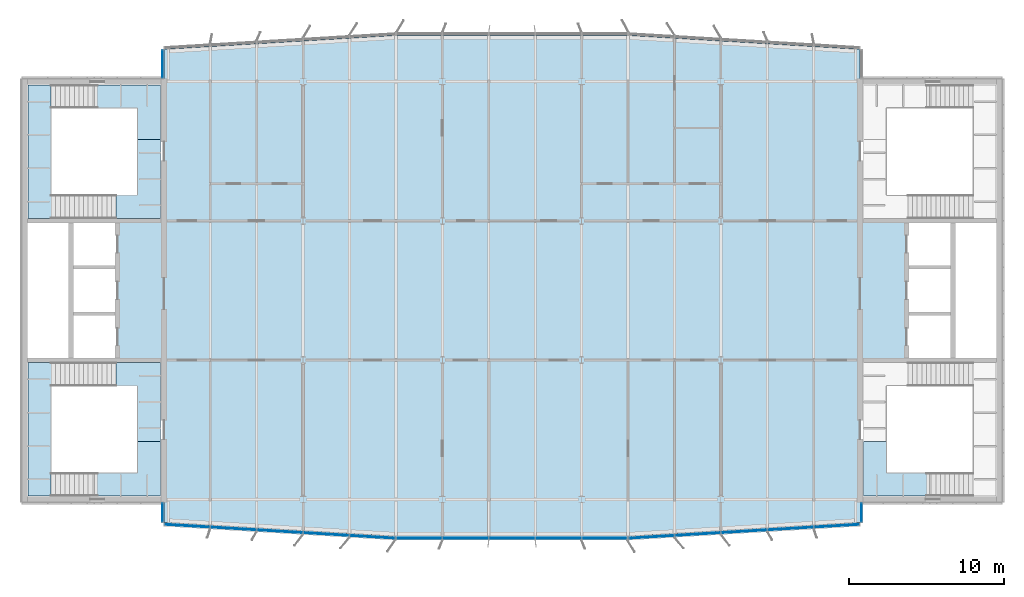
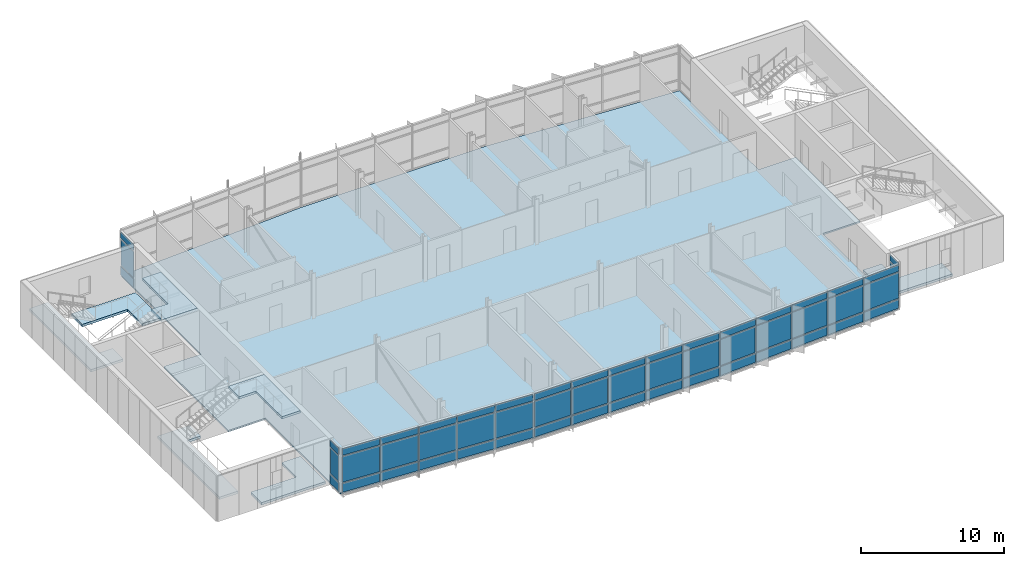
# One storey, part 10 of 18: 54 plates, 8 slabs, 9 elements without a shape of their own.
"""IFC4 building model written with IfcOpenShell, lengths in metres."""

from ifc_helpers import new_model, si_unit, direction, frame, origin, origin_2d, place, context, subcontext, project, spatial, polyline, rectangle, outline, extrude, material, layer, layer_set, type_object, element, aggregate, save


model = new_model("IFC4")

# Units and contexts
model_context = context("Model", 3, precision=1e-05, world=origin(), true_north=direction((0.0, 1.0)))
body_context = subcontext(model_context, "Body", "Model", "MODEL_VIEW")
ifc_project = project(units=[si_unit("LENGTHUNIT", "METRE"), si_unit("AREAUNIT", "SQUARE_METRE"), si_unit("VOLUMEUNIT", "CUBIC_METRE"), si_unit("PLANEANGLEUNIT", "RADIAN"), si_unit("MASSUNIT", "GRAM", prefix="KILO")], contexts=[model_context])

# Site, building, storey
site_placement = place(None, origin())
site = spatial("IfcSite", under=ifc_project, at=site_placement, CompositionType="ELEMENT")
building_placement = place(site_placement, origin())
building = spatial("IfcBuilding", under=site, at=building_placement, Name="Azimuth Sports and Learning Centre", CompositionType="ELEMENT")
storey_placement = place(building_placement, frame((0.0, 0.0, 63.60009765625)))
storey = spatial("IfcBuildingStorey", under=building, at=storey_placement, Name="L14", CompositionType="ELEMENT", Elevation=63.60009765625)

# Slab
ifc_material_1 = material(Name="Concrete C30/37", Category="concrete")
ifc_layer_1 = layer(ifc_material_1, 0.1298828125)
ifc_layer_set_1 = layer_set([ifc_layer_1], Name="Concrete C30/37")
slab_type_1 = type_object("IfcSlabType", Name="Composite floor slab 130", PredefinedType="FLOOR", material=ifc_layer_set_1)
slab_1_placement = place(storey_placement, frame((0.0, 0.0, -0.130126953125)))
element("IfcSlab", 1, at=slab_1_placement, inside=storey, type_object=slab_type_1, Name="Slab TOWER L14", PredefinedType="FLOOR", context=body_context, shape_type="SweptSolid", body=[
    extrude(outline(polyline([(78.0, 87.60009765625), (93.0, 87.60009765625), (108.0, 88.5), (108.0, 99.0), (111.0, 99.0), (111.0, 108.0), (108.0, 108.0), (108.0, 119.10009765625), (93.0, 120.0), (78.0, 120.0), (63.0, 119.10009765625), (63.0, 108.0), (60.0, 108.0), (60.0, 99.0), (63.0, 99.0), (63.0, 88.5), (78.0, 87.60009765625)])), origin(), (0.0, 0.0, 1.0), 0.130126953125),
])

# Stair, slabs
ifc_material_2 = material(Name="Concrete C32/40", Category="concrete")
stair_type = type_object("IfcStairType", Name="Square-well stair core 3900 storey", PredefinedType="THREE_QUARTER_TURN_STAIR", material=ifc_material_2)
stair_1_placement = place(storey_placement, origin())
stair_1 = element("IfcStair", 2, at=stair_1_placement, inside=storey, type_object=stair_type, Name="Stair W1 L14-L15", PredefinedType="THREE_QUARTER_TURN_STAIR")
ifc_material_3 = material(Name="Concrete C32/40", Category="concrete")
ifc_layer_2 = layer(ifc_material_3, 0.199951171875)
ifc_layer_set_2 = layer_set([ifc_layer_2], Name="Concrete C32/40")
slab_type_2 = type_object("IfcSlabType", Name="Concrete stair landing", PredefinedType="LANDING", material=ifc_layer_set_2)
slab_2_placement = place(storey_placement, frame((0.0, 0.0, -0.2001953125)))
slab_2 = element("IfcSlab", 3, at=slab_2_placement, type_object=slab_type_2, Name="Stair W1 L14 landing 1", PredefinedType="LANDING", context=body_context, shape_type="SweptSolid", body=[
    extrude(outline(polyline([(62.7900390625, 90.2099609375), (62.7900390625, 93.75), (61.2900390625, 93.75), (61.2900390625, 91.7099609375), (57.610107421875, 91.7099609375), (57.610107421875, 90.2099609375), (62.7900390625, 90.2099609375)])), origin(), (0.0, 0.0, 1.0), 0.2001953125),
])
slab_3_placement = place(storey_placement, frame((0.0, 0.0, 1.449951171875)))
slab_3 = element("IfcSlab", 4, at=slab_3_placement, type_object=slab_type_2, Name="Stair W1 L14 landing 2", PredefinedType="LANDING", context=body_context, shape_type="SweptSolid", body=[
    extrude(outline(polyline([(55.7099609375, 91.7099609375), (55.7099609375, 97.340087890625), (56.81005859375, 97.340087890625), (56.81005859375, 98.840087890625), (54.2099609375, 98.840087890625), (54.2099609375, 90.2099609375), (55.710693359375, 90.2099609375), (55.710693359375, 91.7099609375), (55.7099609375, 91.7099609375)])), origin(), (0.0, 0.0, 1.0), 0.199951171875),
])
slab_4_placement = place(storey_placement, frame((0.0, 0.0, 3.699951171875)))
slab_4 = element("IfcSlab", 5, at=slab_4_placement, type_object=slab_type_2, Name="Stair W1 L14 landing 3", PredefinedType="LANDING", context=body_context, shape_type="SweptSolid", body=[
    extrude(outline(polyline([(61.2900390625, 97.340087890625), (61.2900390625, 93.75), (62.7900390625, 93.75), (62.7900390625, 98.840087890625), (59.9091796875, 98.840087890625), (59.9091796875, 97.340087890625), (61.2900390625, 97.340087890625)])), origin(), (0.0, 0.0, 1.0), 0.199951171875),
])
aggregate(stair_1, [slab_2, slab_3, slab_4])

stair_2_placement = place(storey_placement, origin())
stair_2 = element("IfcStair", 6, at=stair_2_placement, inside=storey, type_object=stair_type, Name="Stair W2 L14-L15", PredefinedType="THREE_QUARTER_TURN_STAIR")
slab_5_placement = place(storey_placement, frame((0.0, 0.0, -0.2001953125)))
slab_5 = element("IfcSlab", 7, at=slab_5_placement, type_object=slab_type_2, Name="Stair W2 L14 landing 1", PredefinedType="LANDING", context=body_context, shape_type="SweptSolid", body=[
    extrude(outline(polyline([(57.610107421875, 115.2900390625), (61.2900390625, 115.2900390625), (61.2900390625, 113.25), (62.7900390625, 113.25), (62.7900390625, 116.7900390625), (57.610107421875, 116.7900390625), (57.610107421875, 115.2900390625)])), origin(), (0.0, 0.0, 1.0), 0.2001953125),
])
slab_6_placement = place(storey_placement, frame((0.0, 0.0, 1.449951171875)))
slab_6 = element("IfcSlab", 8, at=slab_6_placement, type_object=slab_type_2, Name="Stair W2 L14 landing 2", PredefinedType="LANDING", context=body_context, shape_type="SweptSolid", body=[
    extrude(outline(polyline([(55.7099609375, 115.2900390625), (55.710693359375, 115.2900390625), (55.710693359375, 116.7900390625), (54.2099609375, 116.7900390625), (54.2099609375, 108.159912109375), (56.81005859375, 108.159912109375), (56.81005859375, 109.659912109375), (55.7099609375, 109.659912109375), (55.7099609375, 115.2900390625)])), origin(), (0.0, 0.0, 1.0), 0.199951171875),
])
slab_7_placement = place(storey_placement, frame((0.0, 0.0, 3.699951171875)))
slab_7 = element("IfcSlab", 9, at=slab_7_placement, type_object=slab_type_2, Name="Stair W2 L14 landing 3", PredefinedType="LANDING", context=body_context, shape_type="SweptSolid", body=[
    extrude(outline(polyline([(61.2900390625, 109.659912109375), (59.9091796875, 109.659912109375), (59.9091796875, 108.159912109375), (62.7900390625, 108.159912109375), (62.7900390625, 113.25), (61.2900390625, 113.25), (61.2900390625, 109.659912109375)])), origin(), (0.0, 0.0, 1.0), 0.199951171875),
])
aggregate(stair_2, [slab_5, slab_6, slab_7])

# Stair, slab
stair_3_placement = place(storey_placement, origin())
stair_3 = element("IfcStair", 10, at=stair_3_placement, inside=storey, type_object=stair_type, Name="Stair E1 L14-L15", PredefinedType="THREE_QUARTER_TURN_STAIR")
slab_8_placement = place(storey_placement, frame((0.0, 0.0, -0.2001953125)))
slab_8 = element("IfcSlab", 11, at=slab_8_placement, type_object=slab_type_2, Name="Stair E1 L14 landing 1", PredefinedType="LANDING", context=body_context, shape_type="SweptSolid", body=[
    extrude(outline(polyline([(113.389892578125, 91.7099609375), (109.7099609375, 91.7099609375), (109.7099609375, 93.75), (108.2099609375, 93.75), (108.2099609375, 90.2099609375), (113.389892578125, 90.2099609375), (113.389892578125, 91.7099609375)])), origin(), (0.0, 0.0, 1.0), 0.2001953125),
])
aggregate(stair_3, [slab_8])

# Curtain wall, plates
ifc_material_4 = material(Name="Aluminium and glass", Category="aluminium")
curtain_wall_type_1 = type_object("IfcCurtainWallType", Name="Curtain wall tower return 180", PredefinedType="NOTDEFINED", material=ifc_material_4)
curtain_wall_1_placement = place(storey_placement, origin())
curtain_wall_1 = element("IfcCurtainWall", 12, at=curtain_wall_1_placement, inside=storey, type_object=curtain_wall_type_1, Name="Curtain wall CW14-001", PredefinedType="NOTDEFINED")
ifc_material_5 = material(Name="Insulated aluminium panel", Category="aluminium")
ifc_layer_3 = layer(ifc_material_5, 0.050048828125)
ifc_layer_set_3 = layer_set([ifc_layer_3], Name="Insulated aluminium panel")
plate_type_1 = type_object("IfcPlateType", Name="Spandrel panel 50 mm", PredefinedType="CURTAIN_PANEL", material=ifc_layer_set_3)
plate_1_placement = place(storey_placement, frame((62.909912109375, 89.14990234375, 0.099853515625), z_axis=(0.0, 0.0, 1.0), x_axis=(0.0, -1.0, 0.0)))
plate_1 = element("IfcPlate", 13, at=plate_1_placement, type_object=plate_type_1, Name="CW14-001 panel 1.1", PredefinedType="CURTAIN_PANEL", context=body_context, shape_type="SweptSolid", body=[
    extrude(rectangle(XDim=1.179931640625, YDim=0.050048828125, at=origin_2d()), origin(), (0.0, 0.0, 1.0), 0.75),
])
plate_2_placement = place(storey_placement, frame((62.909912109375, 89.14990234375, 3.25), z_axis=(0.0, 0.0, 1.0), x_axis=(0.0, -1.0, 0.0)))
plate_2 = element("IfcPlate", 14, at=plate_2_placement, type_object=plate_type_1, Name="CW14-001 panel 1.3", PredefinedType="CURTAIN_PANEL", context=body_context, shape_type="SweptSolid", body=[
    extrude(rectangle(XDim=1.179931640625, YDim=0.050048828125, at=origin_2d()), origin(), (0.0, 0.0, 1.0), 0.550048828125),
])

ifc_material_6 = material(Name="Aluminium and glass", Category="aluminium")
curtain_wall_type_2 = type_object("IfcCurtainWallType", Name="Curtain wall tower south 240", PredefinedType="NOTDEFINED", material=ifc_material_6)
curtain_wall_2_placement = place(storey_placement, origin())
curtain_wall_2 = element("IfcCurtainWall", 15, at=curtain_wall_2_placement, inside=storey, type_object=curtain_wall_type_2, Name="Curtain wall CW14-002", PredefinedType="NOTDEFINED")
plate_3_placement = place(storey_placement, frame((64.51025390625, 88.2890625, 0.099853515625), z_axis=(0.0, 0.0, 1.0), x_axis=(0.998204863401, -0.059891991812, 0.0)))
plate_3 = element("IfcPlate", 16, at=plate_3_placement, type_object=plate_type_1, Name="CW14-002 panel 1.1", PredefinedType="CURTAIN_PANEL", context=body_context, shape_type="SweptSolid", body=[
    extrude(rectangle(XDim=2.900390625, YDim=0.050048828125, at=origin_2d()), origin(), (0.0, 0.0, 1.0), 0.75),
])
plate_4_placement = place(storey_placement, frame((64.51025390625, 88.2890625, 3.25), z_axis=(0.0, 0.0, 1.0), x_axis=(0.998204863401, -0.059891991812, 0.0)))
plate_4 = element("IfcPlate", 17, at=plate_4_placement, type_object=plate_type_1, Name="CW14-002 panel 1.3", PredefinedType="CURTAIN_PANEL", context=body_context, shape_type="SweptSolid", body=[
    extrude(rectangle(XDim=2.900390625, YDim=0.050048828125, at=origin_2d()), origin(), (0.0, 0.0, 1.0), 0.550048828125),
])
plate_5_placement = place(storey_placement, frame((67.492919921875, 88.110107421875, 0.099853515625), z_axis=(0.0, 0.0, 1.0), x_axis=(0.998204863401, -0.059891991812, 0.0)))
plate_5 = element("IfcPlate", 18, at=plate_5_placement, type_object=plate_type_1, Name="CW14-002 panel 2.1", PredefinedType="CURTAIN_PANEL", context=body_context, shape_type="SweptSolid", body=[
    extrude(rectangle(XDim=2.935302734375, YDim=0.050048828125, at=origin_2d()), origin(), (0.0, 0.0, 1.0), 0.75),
])
plate_6_placement = place(storey_placement, frame((67.492919921875, 88.110107421875, 3.25), z_axis=(0.0, 0.0, 1.0), x_axis=(0.998204863401, -0.059891991812, 0.0)))
plate_6 = element("IfcPlate", 19, at=plate_6_placement, type_object=plate_type_1, Name="CW14-002 panel 2.3", PredefinedType="CURTAIN_PANEL", context=body_context, shape_type="SweptSolid", body=[
    extrude(rectangle(XDim=2.935302734375, YDim=0.050048828125, at=origin_2d()), origin(), (0.0, 0.0, 1.0), 0.550048828125),
])
plate_7_placement = place(storey_placement, frame((70.492919921875, 87.93017578125, 0.099853515625), z_axis=(0.0, 0.0, 1.0), x_axis=(0.998204863401, -0.059891991812, 0.0)))
plate_7 = element("IfcPlate", 20, at=plate_7_placement, type_object=plate_type_1, Name="CW14-002 panel 3.1", PredefinedType="CURTAIN_PANEL", context=body_context, shape_type="SweptSolid", body=[
    extrude(rectangle(XDim=2.935302734375, YDim=0.050048828125, at=origin_2d()), origin(), (0.0, 0.0, 1.0), 0.75),
])
plate_8_placement = place(storey_placement, frame((70.492919921875, 87.93017578125, 3.25), z_axis=(0.0, 0.0, 1.0), x_axis=(0.998204863401, -0.059891991812, 0.0)))
plate_8 = element("IfcPlate", 21, at=plate_8_placement, type_object=plate_type_1, Name="CW14-002 panel 3.3", PredefinedType="CURTAIN_PANEL", context=body_context, shape_type="SweptSolid", body=[
    extrude(rectangle(XDim=2.935302734375, YDim=0.050048828125, at=origin_2d()), origin(), (0.0, 0.0, 1.0), 0.550048828125),
])
plate_9_placement = place(storey_placement, frame((73.492919921875, 87.750244140625, 0.099853515625), z_axis=(0.0, 0.0, 1.0), x_axis=(0.998204863401, -0.059891991812, 0.0)))
plate_9 = element("IfcPlate", 22, at=plate_9_placement, type_object=plate_type_1, Name="CW14-002 panel 4.1", PredefinedType="CURTAIN_PANEL", context=body_context, shape_type="SweptSolid", body=[
    extrude(rectangle(XDim=2.935302734375, YDim=0.050048828125, at=origin_2d()), origin(), (0.0, 0.0, 1.0), 0.75),
])
plate_10_placement = place(storey_placement, frame((73.492919921875, 87.750244140625, 3.25), z_axis=(0.0, 0.0, 1.0), x_axis=(0.998204863401, -0.059891991812, 0.0)))
plate_10 = element("IfcPlate", 23, at=plate_10_placement, type_object=plate_type_1, Name="CW14-002 panel 4.3", PredefinedType="CURTAIN_PANEL", context=body_context, shape_type="SweptSolid", body=[
    extrude(rectangle(XDim=2.935302734375, YDim=0.050048828125, at=origin_2d()), origin(), (0.0, 0.0, 1.0), 0.550048828125),
])
plate_11_placement = place(storey_placement, frame((76.475341796875, 87.5712890625, 0.099853515625), z_axis=(0.0, 0.0, 1.0), x_axis=(0.998204863401, -0.059891991812, 0.0)))
plate_11 = element("IfcPlate", 24, at=plate_11_placement, type_object=plate_type_1, Name="CW14-002 panel 5.1", PredefinedType="CURTAIN_PANEL", context=body_context, shape_type="SweptSolid", body=[
    extrude(rectangle(XDim=2.900390625, YDim=0.050048828125, at=origin_2d()), origin(), (0.0, 0.0, 1.0), 0.75),
])
plate_12_placement = place(storey_placement, frame((76.475341796875, 87.5712890625, 3.25), z_axis=(0.0, 0.0, 1.0), x_axis=(0.998204863401, -0.059891991812, 0.0)))
plate_12 = element("IfcPlate", 25, at=plate_12_placement, type_object=plate_type_1, Name="CW14-002 panel 5.3", PredefinedType="CURTAIN_PANEL", context=body_context, shape_type="SweptSolid", body=[
    extrude(rectangle(XDim=2.900390625, YDim=0.050048828125, at=origin_2d()), origin(), (0.0, 0.0, 1.0), 0.550048828125),
])

curtain_wall_3_placement = place(storey_placement, origin())
curtain_wall_3 = element("IfcCurtainWall", 26, at=curtain_wall_3_placement, inside=storey, type_object=curtain_wall_type_2, Name="Curtain wall CW14-003", PredefinedType="NOTDEFINED")
plate_13_placement = place(storey_placement, frame((79.513916015625, 87.47998046875, 0.099853515625), z_axis=(0.0, 0.0, 1.0), x_axis=(1.0, 0.0, 0.0)))
plate_13 = element("IfcPlate", 27, at=plate_13_placement, type_object=plate_type_1, Name="CW14-003 panel 1.1", PredefinedType="CURTAIN_PANEL", context=body_context, shape_type="SweptSolid", body=[
    extrude(rectangle(XDim=2.902099609375, YDim=0.050048828125, at=origin_2d()), origin(), (0.0, 0.0, 1.0), 0.75),
])
plate_14_placement = place(storey_placement, frame((79.513916015625, 87.47998046875, 3.25), z_axis=(0.0, 0.0, 1.0), x_axis=(1.0, 0.0, 0.0)))
plate_14 = element("IfcPlate", 28, at=plate_14_placement, type_object=plate_type_1, Name="CW14-003 panel 1.3", PredefinedType="CURTAIN_PANEL", context=body_context, shape_type="SweptSolid", body=[
    extrude(rectangle(XDim=2.902099609375, YDim=0.050048828125, at=origin_2d()), origin(), (0.0, 0.0, 1.0), 0.550048828125),
])
plate_15_placement = place(storey_placement, frame((82.5, 87.47998046875, 0.099853515625), z_axis=(0.0, 0.0, 1.0), x_axis=(1.0, 0.0, 0.0)))
plate_15 = element("IfcPlate", 29, at=plate_15_placement, type_object=plate_type_1, Name="CW14-003 panel 2.1", PredefinedType="CURTAIN_PANEL", context=body_context, shape_type="SweptSolid", body=[
    extrude(rectangle(XDim=2.929931640625, YDim=0.050048828125, at=origin_2d()), origin(), (0.0, 0.0, 1.0), 0.75),
])
plate_16_placement = place(storey_placement, frame((82.5, 87.47998046875, 3.25), z_axis=(0.0, 0.0, 1.0), x_axis=(1.0, 0.0, 0.0)))
plate_16 = element("IfcPlate", 30, at=plate_16_placement, type_object=plate_type_1, Name="CW14-003 panel 2.3", PredefinedType="CURTAIN_PANEL", context=body_context, shape_type="SweptSolid", body=[
    extrude(rectangle(XDim=2.929931640625, YDim=0.050048828125, at=origin_2d()), origin(), (0.0, 0.0, 1.0), 0.550048828125),
])
plate_17_placement = place(storey_placement, frame((85.5, 87.47998046875, 0.099853515625), z_axis=(0.0, 0.0, 1.0), x_axis=(1.0, 0.0, 0.0)))
plate_17 = element("IfcPlate", 31, at=plate_17_placement, type_object=plate_type_1, Name="CW14-003 panel 3.1", PredefinedType="CURTAIN_PANEL", context=body_context, shape_type="SweptSolid", body=[
    extrude(rectangle(XDim=2.929931640625, YDim=0.050048828125, at=origin_2d()), origin(), (0.0, 0.0, 1.0), 0.75),
])
plate_18_placement = place(storey_placement, frame((85.5, 87.47998046875, 3.25), z_axis=(0.0, 0.0, 1.0), x_axis=(1.0, 0.0, 0.0)))
plate_18 = element("IfcPlate", 32, at=plate_18_placement, type_object=plate_type_1, Name="CW14-003 panel 3.3", PredefinedType="CURTAIN_PANEL", context=body_context, shape_type="SweptSolid", body=[
    extrude(rectangle(XDim=2.929931640625, YDim=0.050048828125, at=origin_2d()), origin(), (0.0, 0.0, 1.0), 0.550048828125),
])
plate_19_placement = place(storey_placement, frame((88.5, 87.47998046875, 0.099853515625), z_axis=(0.0, 0.0, 1.0), x_axis=(1.0, 0.0, 0.0)))
plate_19 = element("IfcPlate", 33, at=plate_19_placement, type_object=plate_type_1, Name="CW14-003 panel 4.1", PredefinedType="CURTAIN_PANEL", context=body_context, shape_type="SweptSolid", body=[
    extrude(rectangle(XDim=2.929931640625, YDim=0.050048828125, at=origin_2d()), origin(), (0.0, 0.0, 1.0), 0.75),
])
plate_20_placement = place(storey_placement, frame((88.5, 87.47998046875, 3.25), z_axis=(0.0, 0.0, 1.0), x_axis=(1.0, 0.0, 0.0)))
plate_20 = element("IfcPlate", 34, at=plate_20_placement, type_object=plate_type_1, Name="CW14-003 panel 4.3", PredefinedType="CURTAIN_PANEL", context=body_context, shape_type="SweptSolid", body=[
    extrude(rectangle(XDim=2.929931640625, YDim=0.050048828125, at=origin_2d()), origin(), (0.0, 0.0, 1.0), 0.550048828125),
])
plate_21_placement = place(storey_placement, frame((91.482421875, 87.47998046875, 0.099853515625), z_axis=(0.0, 0.0, 1.0), x_axis=(1.0, 0.0, 0.0)))
plate_21 = element("IfcPlate", 35, at=plate_21_placement, type_object=plate_type_1, Name="CW14-003 panel 5.1", PredefinedType="CURTAIN_PANEL", context=body_context, shape_type="SweptSolid", body=[
    extrude(rectangle(XDim=2.89501953125, YDim=0.050048828125, at=origin_2d()), origin(), (0.0, 0.0, 1.0), 0.75),
])
plate_22_placement = place(storey_placement, frame((91.482421875, 87.47998046875, 3.25), z_axis=(0.0, 0.0, 1.0), x_axis=(1.0, 0.0, 0.0)))
plate_22 = element("IfcPlate", 36, at=plate_22_placement, type_object=plate_type_1, Name="CW14-003 panel 5.3", PredefinedType="CURTAIN_PANEL", context=body_context, shape_type="SweptSolid", body=[
    extrude(rectangle(XDim=2.89501953125, YDim=0.050048828125, at=origin_2d()), origin(), (0.0, 0.0, 1.0), 0.550048828125),
])

curtain_wall_4_placement = place(storey_placement, origin())
curtain_wall_4 = element("IfcCurtainWall", 37, at=curtain_wall_4_placement, inside=storey, type_object=curtain_wall_type_2, Name="Curtain wall CW14-004", PredefinedType="NOTDEFINED")
plate_23_placement = place(storey_placement, frame((94.52099609375, 87.571044921875, 0.099853515625), z_axis=(0.0, 0.0, 1.0), x_axis=(0.998204863401, 0.059891991812, 0.0)))
plate_23 = element("IfcPlate", 38, at=plate_23_placement, type_object=plate_type_1, Name="CW14-004 panel 1.1", PredefinedType="CURTAIN_PANEL", context=body_context, shape_type="SweptSolid", body=[
    extrude(rectangle(XDim=2.90771484375, YDim=0.050048828125, at=origin_2d()), origin(), (0.0, 0.0, 1.0), 0.75),
])
plate_24_placement = place(storey_placement, frame((94.52099609375, 87.571044921875, 3.25), z_axis=(0.0, 0.0, 1.0), x_axis=(0.998204863401, 0.059891991812, 0.0)))
plate_24 = element("IfcPlate", 39, at=plate_24_placement, type_object=plate_type_1, Name="CW14-004 panel 1.3", PredefinedType="CURTAIN_PANEL", context=body_context, shape_type="SweptSolid", body=[
    extrude(rectangle(XDim=2.90771484375, YDim=0.050048828125, at=origin_2d()), origin(), (0.0, 0.0, 1.0), 0.550048828125),
])
plate_25_placement = place(storey_placement, frame((97.507080078125, 87.750244140625, 0.099853515625), z_axis=(0.0, 0.0, 1.0), x_axis=(0.998204863401, 0.059891991812, 0.0)))
plate_25 = element("IfcPlate", 40, at=plate_25_placement, type_object=plate_type_1, Name="CW14-004 panel 2.1", PredefinedType="CURTAIN_PANEL", context=body_context, shape_type="SweptSolid", body=[
    extrude(rectangle(XDim=2.935302734375, YDim=0.050048828125, at=origin_2d()), origin(), (0.0, 0.0, 1.0), 0.75),
])
plate_26_placement = place(storey_placement, frame((97.507080078125, 87.750244140625, 3.25), z_axis=(0.0, 0.0, 1.0), x_axis=(0.998204863401, 0.059891991812, 0.0)))
plate_26 = element("IfcPlate", 41, at=plate_26_placement, type_object=plate_type_1, Name="CW14-004 panel 2.3", PredefinedType="CURTAIN_PANEL", context=body_context, shape_type="SweptSolid", body=[
    extrude(rectangle(XDim=2.935302734375, YDim=0.050048828125, at=origin_2d()), origin(), (0.0, 0.0, 1.0), 0.550048828125),
])
plate_27_placement = place(storey_placement, frame((100.507080078125, 87.93017578125, 0.099853515625), z_axis=(0.0, 0.0, 1.0), x_axis=(0.998204863401, 0.059891991812, 0.0)))
plate_27 = element("IfcPlate", 42, at=plate_27_placement, type_object=plate_type_1, Name="CW14-004 panel 3.1", PredefinedType="CURTAIN_PANEL", context=body_context, shape_type="SweptSolid", body=[
    extrude(rectangle(XDim=2.935302734375, YDim=0.050048828125, at=origin_2d()), origin(), (0.0, 0.0, 1.0), 0.75),
])
plate_28_placement = place(storey_placement, frame((100.507080078125, 87.93017578125, 3.25), z_axis=(0.0, 0.0, 1.0), x_axis=(0.998204863401, 0.059891991812, 0.0)))
plate_28 = element("IfcPlate", 43, at=plate_28_placement, type_object=plate_type_1, Name="CW14-004 panel 3.3", PredefinedType="CURTAIN_PANEL", context=body_context, shape_type="SweptSolid", body=[
    extrude(rectangle(XDim=2.935302734375, YDim=0.050048828125, at=origin_2d()), origin(), (0.0, 0.0, 1.0), 0.550048828125),
])
plate_29_placement = place(storey_placement, frame((103.507080078125, 88.110107421875, 0.099853515625), z_axis=(0.0, 0.0, 1.0), x_axis=(0.998204863401, 0.059891991812, 0.0)))
plate_29 = element("IfcPlate", 44, at=plate_29_placement, type_object=plate_type_1, Name="CW14-004 panel 4.1", PredefinedType="CURTAIN_PANEL", context=body_context, shape_type="SweptSolid", body=[
    extrude(rectangle(XDim=2.935302734375, YDim=0.050048828125, at=origin_2d()), origin(), (0.0, 0.0, 1.0), 0.75),
])
plate_30_placement = place(storey_placement, frame((103.507080078125, 88.110107421875, 3.25), z_axis=(0.0, 0.0, 1.0), x_axis=(0.998204863401, 0.059891991812, 0.0)))
plate_30 = element("IfcPlate", 45, at=plate_30_placement, type_object=plate_type_1, Name="CW14-004 panel 4.3", PredefinedType="CURTAIN_PANEL", context=body_context, shape_type="SweptSolid", body=[
    extrude(rectangle(XDim=2.935302734375, YDim=0.050048828125, at=origin_2d()), origin(), (0.0, 0.0, 1.0), 0.550048828125),
])
plate_31_placement = place(storey_placement, frame((106.48974609375, 88.2890625, 0.099853515625), z_axis=(0.0, 0.0, 1.0), x_axis=(0.998204863401, 0.059891991812, 0.0)))
plate_31 = element("IfcPlate", 46, at=plate_31_placement, type_object=plate_type_1, Name="CW14-004 panel 5.1", PredefinedType="CURTAIN_PANEL", context=body_context, shape_type="SweptSolid", body=[
    extrude(rectangle(XDim=2.900390625, YDim=0.050048828125, at=origin_2d()), origin(), (0.0, 0.0, 1.0), 0.75),
])
plate_32_placement = place(storey_placement, frame((106.48974609375, 88.2890625, 3.25), z_axis=(0.0, 0.0, 1.0), x_axis=(0.998204863401, 0.059891991812, 0.0)))
plate_32 = element("IfcPlate", 47, at=plate_32_placement, type_object=plate_type_1, Name="CW14-004 panel 5.3", PredefinedType="CURTAIN_PANEL", context=body_context, shape_type="SweptSolid", body=[
    extrude(rectangle(XDim=2.900390625, YDim=0.050048828125, at=origin_2d()), origin(), (0.0, 0.0, 1.0), 0.550048828125),
])

curtain_wall_5_placement = place(storey_placement, origin())
curtain_wall_5 = element("IfcCurtainWall", 48, at=curtain_wall_5_placement, inside=storey, type_object=curtain_wall_type_1, Name="Curtain wall CW14-005", PredefinedType="NOTDEFINED")
plate_33_placement = place(storey_placement, frame((108.090087890625, 89.14990234375, 0.099853515625), z_axis=(0.0, 0.0, 1.0), x_axis=(0.0, 1.0, 0.0)))
plate_33 = element("IfcPlate", 49, at=plate_33_placement, type_object=plate_type_1, Name="CW14-005 panel 1.1", PredefinedType="CURTAIN_PANEL", context=body_context, shape_type="SweptSolid", body=[
    extrude(rectangle(XDim=1.179931640625, YDim=0.050048828125, at=origin_2d()), origin(), (0.0, 0.0, 1.0), 0.75),
])
plate_34_placement = place(storey_placement, frame((108.090087890625, 89.14990234375, 3.25), z_axis=(0.0, 0.0, 1.0), x_axis=(0.0, 1.0, 0.0)))
plate_34 = element("IfcPlate", 50, at=plate_34_placement, type_object=plate_type_1, Name="CW14-005 panel 1.3", PredefinedType="CURTAIN_PANEL", context=body_context, shape_type="SweptSolid", body=[
    extrude(rectangle(XDim=1.179931640625, YDim=0.050048828125, at=origin_2d()), origin(), (0.0, 0.0, 1.0), 0.550048828125),
])

curtain_wall_6_placement = place(storey_placement, origin())
curtain_wall_6 = element("IfcCurtainWall", 51, at=curtain_wall_6_placement, inside=storey, type_object=curtain_wall_type_1, Name="Curtain wall CW14-010", PredefinedType="NOTDEFINED")
plate_35_placement = place(storey_placement, frame((62.909912109375, 118.14990234375, 0.099853515625), z_axis=(0.0, 0.0, 1.0), x_axis=(0.0, -1.0, 0.0)))
plate_35 = element("IfcPlate", 52, at=plate_35_placement, type_object=plate_type_1, Name="CW14-010 panel 1.1", PredefinedType="CURTAIN_PANEL", context=body_context, shape_type="SweptSolid", body=[
    extrude(rectangle(XDim=1.780029296875, YDim=0.050048828125, at=origin_2d()), origin(), (0.0, 0.0, 1.0), 0.75),
])
plate_36_placement = place(storey_placement, frame((62.909912109375, 118.14990234375, 3.25), z_axis=(0.0, 0.0, 1.0), x_axis=(0.0, -1.0, 0.0)))
plate_36 = element("IfcPlate", 53, at=plate_36_placement, type_object=plate_type_1, Name="CW14-010 panel 1.3", PredefinedType="CURTAIN_PANEL", context=body_context, shape_type="SweptSolid", body=[
    extrude(rectangle(XDim=1.780029296875, YDim=0.050048828125, at=origin_2d()), origin(), (0.0, 0.0, 1.0), 0.550048828125),
])

# Plate
ifc_material_7 = material(Name="Glass", Category="glass")
ifc_layer_4 = layer(ifc_material_7, 0.031982421875)
ifc_layer_set_4 = layer_set([ifc_layer_4], Name="Glass")
plate_type_2 = type_object("IfcPlateType", Name="Vision glass 32 mm", PredefinedType="CURTAIN_PANEL", material=ifc_layer_set_4)
plate_37_placement = place(storey_placement, frame((62.909912109375, 89.14990234375, 0.94970703125), z_axis=(0.0, 0.0, 1.0), x_axis=(0.0, -1.0, 0.0)))
plate_37 = element("IfcPlate", 54, at=plate_37_placement, type_object=plate_type_2, Name="CW14-001 panel 1.2", PredefinedType="CURTAIN_PANEL", context=body_context, shape_type="SweptSolid", body=[
    extrude(rectangle(XDim=1.179931640625, YDim=0.031982421875, at=origin_2d()), origin(), (0.0, 0.0, 1.0), 2.199951171875),
])

aggregate(curtain_wall_1, [plate_1, plate_37, plate_2])

plate_38_placement = place(storey_placement, frame((64.51025390625, 88.2890625, 0.94970703125), z_axis=(0.0, 0.0, 1.0), x_axis=(0.998204863401, -0.059891991812, 0.0)))
plate_38 = element("IfcPlate", 55, at=plate_38_placement, type_object=plate_type_2, Name="CW14-002 panel 1.2", PredefinedType="CURTAIN_PANEL", context=body_context, shape_type="SweptSolid", body=[
    extrude(rectangle(XDim=2.900390625, YDim=0.031982421875, at=origin_2d()), origin(), (0.0, 0.0, 1.0), 2.199951171875),
])

plate_39_placement = place(storey_placement, frame((67.492919921875, 88.110107421875, 0.94970703125), z_axis=(0.0, 0.0, 1.0), x_axis=(0.998204863401, -0.059891991812, 0.0)))
plate_39 = element("IfcPlate", 56, at=plate_39_placement, type_object=plate_type_2, Name="CW14-002 panel 2.2", PredefinedType="CURTAIN_PANEL", context=body_context, shape_type="SweptSolid", body=[
    extrude(rectangle(XDim=2.935302734375, YDim=0.031982421875, at=origin_2d()), origin(), (0.0, 0.0, 1.0), 2.199951171875),
])

plate_40_placement = place(storey_placement, frame((70.492919921875, 87.93017578125, 0.94970703125), z_axis=(0.0, 0.0, 1.0), x_axis=(0.998204863401, -0.059891991812, 0.0)))
plate_40 = element("IfcPlate", 57, at=plate_40_placement, type_object=plate_type_2, Name="CW14-002 panel 3.2", PredefinedType="CURTAIN_PANEL", context=body_context, shape_type="SweptSolid", body=[
    extrude(rectangle(XDim=2.935302734375, YDim=0.031982421875, at=origin_2d()), origin(), (0.0, 0.0, 1.0), 2.199951171875),
])

plate_41_placement = place(storey_placement, frame((73.492919921875, 87.750244140625, 0.94970703125), z_axis=(0.0, 0.0, 1.0), x_axis=(0.998204863401, -0.059891991812, 0.0)))
plate_41 = element("IfcPlate", 58, at=plate_41_placement, type_object=plate_type_2, Name="CW14-002 panel 4.2", PredefinedType="CURTAIN_PANEL", context=body_context, shape_type="SweptSolid", body=[
    extrude(rectangle(XDim=2.935302734375, YDim=0.031982421875, at=origin_2d()), origin(), (0.0, 0.0, 1.0), 2.199951171875),
])

plate_42_placement = place(storey_placement, frame((76.475341796875, 87.5712890625, 0.94970703125), z_axis=(0.0, 0.0, 1.0), x_axis=(0.998204863401, -0.059891991812, 0.0)))
plate_42 = element("IfcPlate", 59, at=plate_42_placement, type_object=plate_type_2, Name="CW14-002 panel 5.2", PredefinedType="CURTAIN_PANEL", context=body_context, shape_type="SweptSolid", body=[
    extrude(rectangle(XDim=2.900390625, YDim=0.031982421875, at=origin_2d()), origin(), (0.0, 0.0, 1.0), 2.199951171875),
])

aggregate(curtain_wall_2, [plate_3, plate_38, plate_4, plate_5, plate_39, plate_6, plate_7, plate_40, plate_8, plate_9, plate_41, plate_10, plate_11, plate_42, plate_12])

plate_43_placement = place(storey_placement, frame((79.513916015625, 87.47998046875, 0.94970703125), z_axis=(0.0, 0.0, 1.0), x_axis=(1.0, 0.0, 0.0)))
plate_43 = element("IfcPlate", 60, at=plate_43_placement, type_object=plate_type_2, Name="CW14-003 panel 1.2", PredefinedType="CURTAIN_PANEL", context=body_context, shape_type="SweptSolid", body=[
    extrude(rectangle(XDim=2.902099609375, YDim=0.031982421875, at=origin_2d()), origin(), (0.0, 0.0, 1.0), 2.199951171875),
])

plate_44_placement = place(storey_placement, frame((82.5, 87.47998046875, 0.94970703125), z_axis=(0.0, 0.0, 1.0), x_axis=(1.0, 0.0, 0.0)))
plate_44 = element("IfcPlate", 61, at=plate_44_placement, type_object=plate_type_2, Name="CW14-003 panel 2.2", PredefinedType="CURTAIN_PANEL", context=body_context, shape_type="SweptSolid", body=[
    extrude(rectangle(XDim=2.929931640625, YDim=0.031982421875, at=origin_2d()), origin(), (0.0, 0.0, 1.0), 2.199951171875),
])

plate_45_placement = place(storey_placement, frame((85.5, 87.47998046875, 0.94970703125), z_axis=(0.0, 0.0, 1.0), x_axis=(1.0, 0.0, 0.0)))
plate_45 = element("IfcPlate", 62, at=plate_45_placement, type_object=plate_type_2, Name="CW14-003 panel 3.2", PredefinedType="CURTAIN_PANEL", context=body_context, shape_type="SweptSolid", body=[
    extrude(rectangle(XDim=2.929931640625, YDim=0.031982421875, at=origin_2d()), origin(), (0.0, 0.0, 1.0), 2.199951171875),
])

plate_46_placement = place(storey_placement, frame((88.5, 87.47998046875, 0.94970703125), z_axis=(0.0, 0.0, 1.0), x_axis=(1.0, 0.0, 0.0)))
plate_46 = element("IfcPlate", 63, at=plate_46_placement, type_object=plate_type_2, Name="CW14-003 panel 4.2", PredefinedType="CURTAIN_PANEL", context=body_context, shape_type="SweptSolid", body=[
    extrude(rectangle(XDim=2.929931640625, YDim=0.031982421875, at=origin_2d()), origin(), (0.0, 0.0, 1.0), 2.199951171875),
])

plate_47_placement = place(storey_placement, frame((91.482421875, 87.47998046875, 0.94970703125), z_axis=(0.0, 0.0, 1.0), x_axis=(1.0, 0.0, 0.0)))
plate_47 = element("IfcPlate", 64, at=plate_47_placement, type_object=plate_type_2, Name="CW14-003 panel 5.2", PredefinedType="CURTAIN_PANEL", context=body_context, shape_type="SweptSolid", body=[
    extrude(rectangle(XDim=2.89501953125, YDim=0.031982421875, at=origin_2d()), origin(), (0.0, 0.0, 1.0), 2.199951171875),
])

aggregate(curtain_wall_3, [plate_13, plate_43, plate_14, plate_15, plate_44, plate_16, plate_17, plate_45, plate_18, plate_19, plate_46, plate_20, plate_21, plate_47, plate_22])

plate_48_placement = place(storey_placement, frame((94.52099609375, 87.571044921875, 0.94970703125), z_axis=(0.0, 0.0, 1.0), x_axis=(0.998204863401, 0.059891991812, 0.0)))
plate_48 = element("IfcPlate", 65, at=plate_48_placement, type_object=plate_type_2, Name="CW14-004 panel 1.2", PredefinedType="CURTAIN_PANEL", context=body_context, shape_type="SweptSolid", body=[
    extrude(rectangle(XDim=2.90771484375, YDim=0.031982421875, at=origin_2d()), origin(), (0.0, 0.0, 1.0), 2.199951171875),
])

plate_49_placement = place(storey_placement, frame((97.507080078125, 87.750244140625, 0.94970703125), z_axis=(0.0, 0.0, 1.0), x_axis=(0.998204863401, 0.059891991812, 0.0)))
plate_49 = element("IfcPlate", 66, at=plate_49_placement, type_object=plate_type_2, Name="CW14-004 panel 2.2", PredefinedType="CURTAIN_PANEL", context=body_context, shape_type="SweptSolid", body=[
    extrude(rectangle(XDim=2.935302734375, YDim=0.031982421875, at=origin_2d()), origin(), (0.0, 0.0, 1.0), 2.199951171875),
])

plate_50_placement = place(storey_placement, frame((100.507080078125, 87.93017578125, 0.94970703125), z_axis=(0.0, 0.0, 1.0), x_axis=(0.998204863401, 0.059891991812, 0.0)))
plate_50 = element("IfcPlate", 67, at=plate_50_placement, type_object=plate_type_2, Name="CW14-004 panel 3.2", PredefinedType="CURTAIN_PANEL", context=body_context, shape_type="SweptSolid", body=[
    extrude(rectangle(XDim=2.935302734375, YDim=0.031982421875, at=origin_2d()), origin(), (0.0, 0.0, 1.0), 2.199951171875),
])

plate_51_placement = place(storey_placement, frame((103.507080078125, 88.110107421875, 0.94970703125), z_axis=(0.0, 0.0, 1.0), x_axis=(0.998204863401, 0.059891991812, 0.0)))
plate_51 = element("IfcPlate", 68, at=plate_51_placement, type_object=plate_type_2, Name="CW14-004 panel 4.2", PredefinedType="CURTAIN_PANEL", context=body_context, shape_type="SweptSolid", body=[
    extrude(rectangle(XDim=2.935302734375, YDim=0.031982421875, at=origin_2d()), origin(), (0.0, 0.0, 1.0), 2.199951171875),
])

plate_52_placement = place(storey_placement, frame((106.48974609375, 88.2890625, 0.94970703125), z_axis=(0.0, 0.0, 1.0), x_axis=(0.998204863401, 0.059891991812, 0.0)))
plate_52 = element("IfcPlate", 69, at=plate_52_placement, type_object=plate_type_2, Name="CW14-004 panel 5.2", PredefinedType="CURTAIN_PANEL", context=body_context, shape_type="SweptSolid", body=[
    extrude(rectangle(XDim=2.900390625, YDim=0.031982421875, at=origin_2d()), origin(), (0.0, 0.0, 1.0), 2.199951171875),
])

aggregate(curtain_wall_4, [plate_23, plate_48, plate_24, plate_25, plate_49, plate_26, plate_27, plate_50, plate_28, plate_29, plate_51, plate_30, plate_31, plate_52, plate_32])

plate_53_placement = place(storey_placement, frame((108.090087890625, 89.14990234375, 0.94970703125), z_axis=(0.0, 0.0, 1.0), x_axis=(0.0, 1.0, 0.0)))
plate_53 = element("IfcPlate", 70, at=plate_53_placement, type_object=plate_type_2, Name="CW14-005 panel 1.2", PredefinedType="CURTAIN_PANEL", context=body_context, shape_type="SweptSolid", body=[
    extrude(rectangle(XDim=1.179931640625, YDim=0.031982421875, at=origin_2d()), origin(), (0.0, 0.0, 1.0), 2.199951171875),
])

aggregate(curtain_wall_5, [plate_33, plate_53, plate_34])

plate_54_placement = place(storey_placement, frame((62.909912109375, 118.14990234375, 0.94970703125), z_axis=(0.0, 0.0, 1.0), x_axis=(0.0, -1.0, 0.0)))
plate_54 = element("IfcPlate", 71, at=plate_54_placement, type_object=plate_type_2, Name="CW14-010 panel 1.2", PredefinedType="CURTAIN_PANEL", context=body_context, shape_type="SweptSolid", body=[
    extrude(rectangle(XDim=1.780029296875, YDim=0.031982421875, at=origin_2d()), origin(), (0.0, 0.0, 1.0), 2.199951171875),
])

aggregate(curtain_wall_6, [plate_35, plate_54, plate_36])

save(model, "model.ifc")
